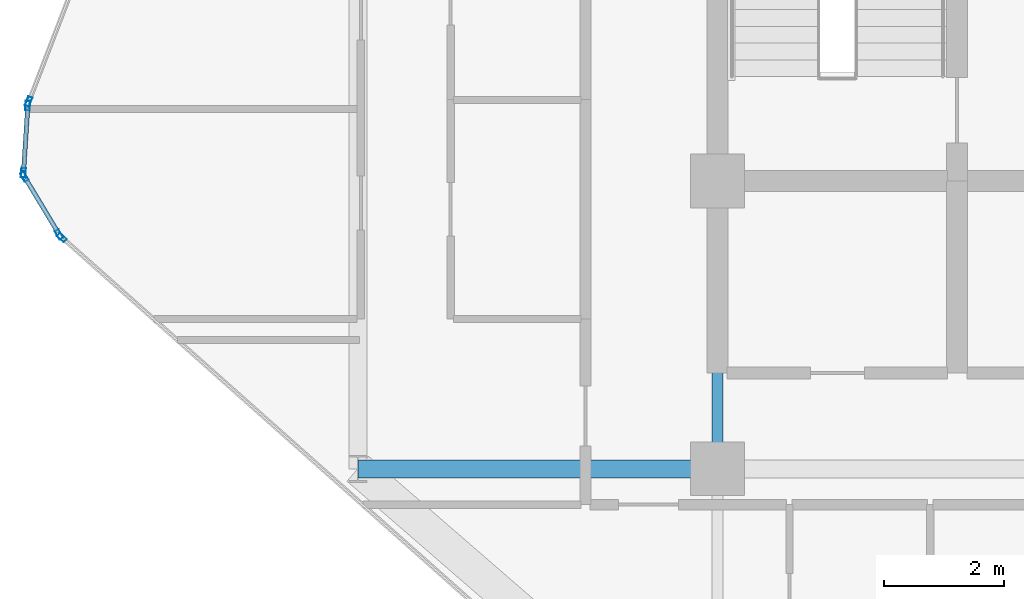
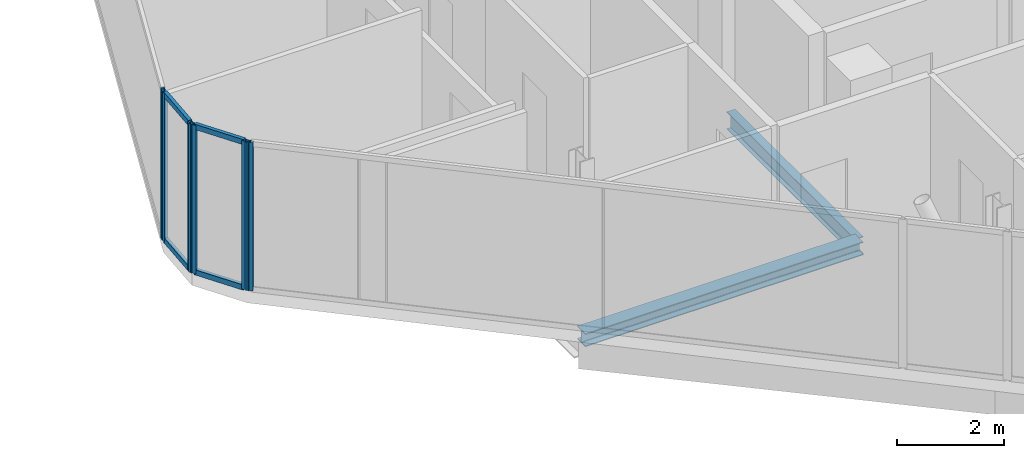
# One storey, part 8 of 29: 10 members, 2 beams, 4 elements without a shape of their own.
"""IFC4 building model written with IfcOpenShell, lengths in metres."""

from ifc_helpers import new_model, si_unit, direction, frame, origin, origin_2d, place, context, subcontext, project, spatial, hollow_rectangle, i_section, extrude, material, layer, layer_set, material_profile, profile_set, type_object, element, aggregate, save


model = new_model("IFC4")

# Units and contexts
model_context = context("Model", 3, precision=1e-05, world=origin(), true_north=direction((0.0, 1.0)))
body_context = subcontext(model_context, "Body", "Model", "MODEL_VIEW")
ifc_project = project(units=[si_unit("LENGTHUNIT", "METRE"), si_unit("AREAUNIT", "SQUARE_METRE"), si_unit("VOLUMEUNIT", "CUBIC_METRE"), si_unit("PLANEANGLEUNIT", "RADIAN"), si_unit("MASSUNIT", "GRAM", prefix="KILO")], contexts=[model_context])

# Site, building, storey
site_placement = place(None, origin())
site = spatial("IfcSite", under=ifc_project, at=site_placement, CompositionType="ELEMENT")
building_placement = place(site_placement, origin())
building = spatial("IfcBuilding", under=site, at=building_placement, Name="Keshet Zoharim Tower", CompositionType="ELEMENT")
storey_placement = place(building_placement, frame((0.0, 0.0, 199.5)))
storey = spatial("IfcBuildingStorey", under=building, at=storey_placement, Name="L49", CompositionType="ELEMENT", Elevation=199.5)

# Beams
ifc_material_1 = material(Name="Steel S355", Category="steel")
ifc_material_profile_1 = material_profile(ifc_material_1, i_section(OverallWidth=0.300048828125, OverallDepth=0.300048828125, WebThickness=0.010986328125, FlangeThickness=0.01904296875, FilletRadius=0.027099609375, at=origin_2d()), Name="HEB300")
ifc_profile_set_1 = profile_set([ifc_material_profile_1], Name="Steel S355")
beam_type_1 = type_object("IfcBeamType", Name="BM-PRI-HB300", PredefinedType="BEAM", material=ifc_profile_set_1)
beam_1_placement = place(storey_placement, frame((9.0, 17.89990234375, -0.4599609375), z_axis=(1.0, 0.0, 0.0), x_axis=(0.0, 1.0, 0.0)))
element("IfcBeam", 1, at=beam_1_placement, inside=storey, type_object=beam_type_1, Name="L49 Primary Girder X-011", PredefinedType="BEAM", context=body_context, shape_type="SweptSolid", body=[
    extrude(i_section(OverallWidth=0.300048828125, OverallDepth=0.300048828125, WebThickness=0.010986328125, FlangeThickness=0.01904296875, FilletRadius=0.027099609375, at=origin_2d()), origin(), (0.0, 0.0, 1.0), 6.0),
])
ifc_material_profile_2 = material_profile(ifc_material_1, i_section(OverallWidth=0.179931640625, OverallDepth=0.39990234375, WebThickness=0.008544921875, FlangeThickness=0.013427734375, FilletRadius=0.02099609375, at=origin_2d()), Name="IPE400")
ifc_profile_set_2 = profile_set([ifc_material_profile_2], Name="Steel S355")
beam_type_2 = type_object("IfcBeamType", Name="BM-PRI-IP400", PredefinedType="BEAM", material=ifc_profile_set_2)
beam_2_placement = place(storey_placement, frame((15.0, 17.89990234375, -0.510009765625), z_axis=(0.0, 1.0, 0.0), x_axis=(-1.0, 0.0, 0.0)))
element("IfcBeam", 2, at=beam_2_placement, inside=storey, type_object=beam_type_2, Name="L49 Primary Girder Y-003", PredefinedType="BEAM", context=body_context, shape_type="SweptSolid", body=[
    extrude(i_section(OverallWidth=0.179931640625, OverallDepth=0.39990234375, WebThickness=0.008544921875, FlangeThickness=0.013427734375, FilletRadius=0.02099609375, at=origin_2d()), origin(), (0.0, 0.0, 1.0), 4.800048828125),
])

# Curtain wall, member
ifc_material_2 = material(Name="Aluminium 6063-T6", Category="aluminium")
ifc_layer = layer(ifc_material_2, 0.139892578125)
ifc_layer_set = layer_set([ifc_layer], Name="Aluminium 6063-T6")
curtain_wall_type = type_object("IfcCurtainWallType", Name="CW-SYS-05", PredefinedType="NOTDEFINED", material=ifc_layer_set)
curtain_wall_1_placement = place(storey_placement, origin())
curtain_wall_1 = element("IfcCurtainWall", 3, at=curtain_wall_1_placement, inside=storey, type_object=curtain_wall_type, Name="L49 Unitised Curtain Wall 10 Part 3", PredefinedType="NOTDEFINED")
ifc_material_profile_3 = material_profile(ifc_material_2, hollow_rectangle(XDim=0.074951171875, YDim=0.159912109375, WallThickness=0.00390625, at=origin_2d()), Name="MUL-75x160")
ifc_profile_set_3 = profile_set([ifc_material_profile_3], Name="Aluminium 6063-T6")
member_type_1 = type_object("IfcMemberType", Name="CWM-M15", PredefinedType="MULLION", material=ifc_profile_set_3)
member_1_placement = place(storey_placement, frame((4.061279296875, 21.7568359375, 0.0), z_axis=(0.0, 0.0, 1.0), x_axis=(-0.664366823013, -0.747406666066, 0.0)))
member_1 = element("IfcMember", 4, at=member_1_placement, type_object=member_type_1, Name="CW-05 mullion 2", PredefinedType="MULLION", context=body_context, shape_type="SweptSolid", body=[
    extrude(hollow_rectangle(XDim=0.074951171875, YDim=0.159912109375, WallThickness=0.00390625, at=origin_2d()), origin(), (0.0, 0.0, 1.0), 3.389892578125),
])
aggregate(curtain_wall_1, [member_1])

# Curtain wall, members
curtain_wall_2_placement = place(storey_placement, origin())
curtain_wall_2 = element("IfcCurtainWall", 5, at=curtain_wall_2_placement, inside=storey, type_object=curtain_wall_type, Name="L49 Unitised Curtain Wall 11", PredefinedType="NOTDEFINED")
member_2_placement = place(storey_placement, frame((4.016845703125, 21.81005859375, 0.0), z_axis=(0.0, 0.0, 1.0), x_axis=(-0.856826433805, -0.515604947933, 0.0)))
member_2 = element("IfcMember", 6, at=member_2_placement, type_object=member_type_1, Name="CW-05 mullion 1", PredefinedType="MULLION", context=body_context, shape_type="SweptSolid", body=[
    extrude(hollow_rectangle(XDim=0.074951171875, YDim=0.159912109375, WallThickness=0.00390625, at=origin_2d()), origin(), (0.0, 0.0, 1.0), 3.389892578125),
])
member_3_placement = place(storey_placement, frame((3.43798828125, 22.77197265625, 0.0), z_axis=(0.0, 0.0, 1.0), x_axis=(-0.856826433805, -0.515604947933, 0.0)))
member_3 = element("IfcMember", 7, at=member_3_placement, type_object=member_type_1, Name="CW-05 mullion 2", PredefinedType="MULLION", context=body_context, shape_type="SweptSolid", body=[
    extrude(hollow_rectangle(XDim=0.074951171875, YDim=0.159912109375, WallThickness=0.00390625, at=origin_2d()), origin(), (0.0, 0.0, 1.0), 3.389892578125),
])

curtain_wall_3_placement = place(storey_placement, origin())
curtain_wall_3 = element("IfcCurtainWall", 8, at=curtain_wall_3_placement, inside=storey, type_object=curtain_wall_type, Name="L49 Unitised Curtain Wall 12", PredefinedType="NOTDEFINED")
member_4_placement = place(storey_placement, frame((3.42236328125, 22.8369140625, 0.0), z_axis=(0.0, 0.0, 1.0), x_axis=(-0.997916617186, 0.064516859374, 0.0)))
member_4 = element("IfcMember", 9, at=member_4_placement, type_object=member_type_1, Name="CW-05 mullion 1", PredefinedType="MULLION", context=body_context, shape_type="SweptSolid", body=[
    extrude(hollow_rectangle(XDim=0.074951171875, YDim=0.159912109375, WallThickness=0.00390625, at=origin_2d()), origin(), (0.0, 0.0, 1.0), 3.389892578125),
])
member_5_placement = place(storey_placement, frame((3.49462890625, 23.9580078125, 0.0), z_axis=(0.0, 0.0, 1.0), x_axis=(-0.997916617186, 0.064516859374, 0.0)))
member_5 = element("IfcMember", 10, at=member_5_placement, type_object=member_type_1, Name="CW-05 mullion 2", PredefinedType="MULLION", context=body_context, shape_type="SweptSolid", body=[
    extrude(hollow_rectangle(XDim=0.074951171875, YDim=0.159912109375, WallThickness=0.00390625, at=origin_2d()), origin(), (0.0, 0.0, 1.0), 3.389892578125),
])

# Curtain wall, member
curtain_wall_4_placement = place(storey_placement, origin())
curtain_wall_4 = element("IfcCurtainWall", 11, at=curtain_wall_4_placement, inside=storey, type_object=curtain_wall_type, Name="L49 Unitised Curtain Wall 13", PredefinedType="NOTDEFINED")
member_6_placement = place(storey_placement, frame((3.509521484375, 24.025634765625, 0.0), z_axis=(0.0, 0.0, 1.0), x_axis=(-0.933341404361, 0.358990003907, 0.0)))
member_6 = element("IfcMember", 12, at=member_6_placement, type_object=member_type_1, Name="CW-05 mullion 1", PredefinedType="MULLION", context=body_context, shape_type="SweptSolid", body=[
    extrude(hollow_rectangle(XDim=0.074951171875, YDim=0.159912109375, WallThickness=0.00390625, at=origin_2d()), origin(), (0.0, 0.0, 1.0), 3.389892578125),
])
aggregate(curtain_wall_4, [member_6])

# Member
ifc_material_profile_4 = material_profile(ifc_material_2, hollow_rectangle(XDim=0.074951171875, YDim=0.1201171875, WallThickness=0.00390625, at=origin_2d()), Name="TRN-75x120")
ifc_profile_set_4 = profile_set([ifc_material_profile_4], Name="Aluminium 6063-T6")
member_type_2 = type_object("IfcMemberType", Name="CWT-T12", PredefinedType="USERDEFINED", material=ifc_profile_set_4)
member_7_placement = place(storey_placement, frame((3.9990234375, 21.840087890625, 0.034912109375), z_axis=(-0.515791194107, 0.856714330499, 0.0), x_axis=(-0.856714330499, -0.515791194107, 0.0)))
member_7 = element("IfcMember", 13, at=member_7_placement, type_object=member_type_2, Name="CW-05 transom 1.1", ObjectType="TRANSOM", PredefinedType="USERDEFINED", context=body_context, shape_type="SweptSolid", body=[
    extrude(hollow_rectangle(XDim=0.074951171875, YDim=0.1201171875, WallThickness=0.00390625, at=origin_2d()), origin(), (0.0, 0.0, 1.0), 1.052734375),
])

member_8_placement = place(storey_placement, frame((3.9990234375, 21.840087890625, 3.35498046875), z_axis=(-0.515791194107, 0.856714330499, 0.0), x_axis=(-0.856714330499, -0.515791194107, 0.0)))
member_8 = element("IfcMember", 14, at=member_8_placement, type_object=member_type_2, Name="CW-05 transom 1.2", ObjectType="TRANSOM", PredefinedType="USERDEFINED", context=body_context, shape_type="SweptSolid", body=[
    extrude(hollow_rectangle(XDim=0.074951171875, YDim=0.1201171875, WallThickness=0.00390625, at=origin_2d()), origin(), (0.0, 0.0, 1.0), 1.052734375),
])

aggregate(curtain_wall_2, [member_2, member_3, member_7, member_8])

member_9_placement = place(storey_placement, frame((3.424560546875, 22.871826171875, 0.034912109375), z_axis=(0.064426947155, 0.997922426083, 0.0), x_axis=(-0.997922426083, 0.064426947155, 0.0)))
member_9 = element("IfcMember", 15, at=member_9_placement, type_object=member_type_2, Name="CW-05 transom 1.1", ObjectType="TRANSOM", PredefinedType="USERDEFINED", context=body_context, shape_type="SweptSolid", body=[
    extrude(hollow_rectangle(XDim=0.074951171875, YDim=0.1201171875, WallThickness=0.00390625, at=origin_2d()), origin(), (0.0, 0.0, 1.0), 1.053466796875),
])

member_10_placement = place(storey_placement, frame((3.424560546875, 22.871826171875, 3.35498046875), z_axis=(0.064426947155, 0.997922426083, 0.0), x_axis=(-0.997922426083, 0.064426947155, 0.0)))
member_10 = element("IfcMember", 16, at=member_10_placement, type_object=member_type_2, Name="CW-05 transom 1.2", ObjectType="TRANSOM", PredefinedType="USERDEFINED", context=body_context, shape_type="SweptSolid", body=[
    extrude(hollow_rectangle(XDim=0.074951171875, YDim=0.1201171875, WallThickness=0.00390625, at=origin_2d()), origin(), (0.0, 0.0, 1.0), 1.053466796875),
])

aggregate(curtain_wall_3, [member_4, member_5, member_9, member_10])

save(model, "model.ifc")
